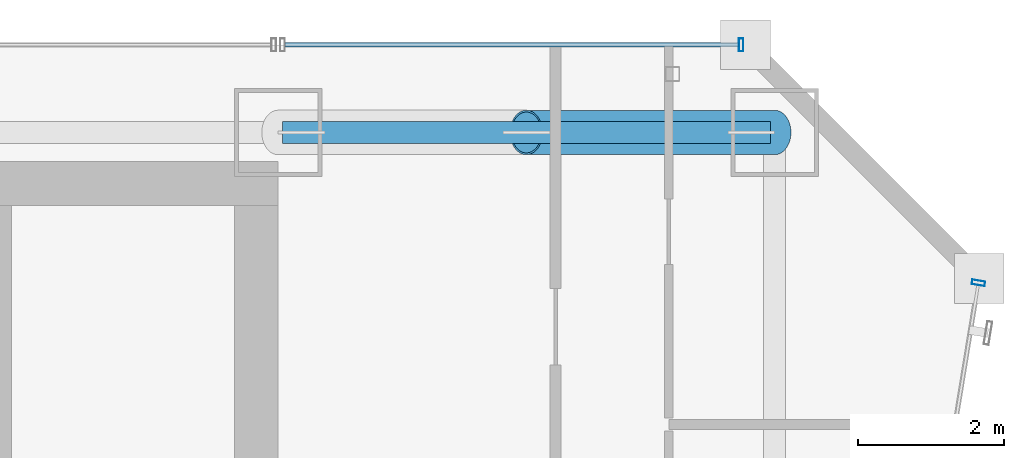
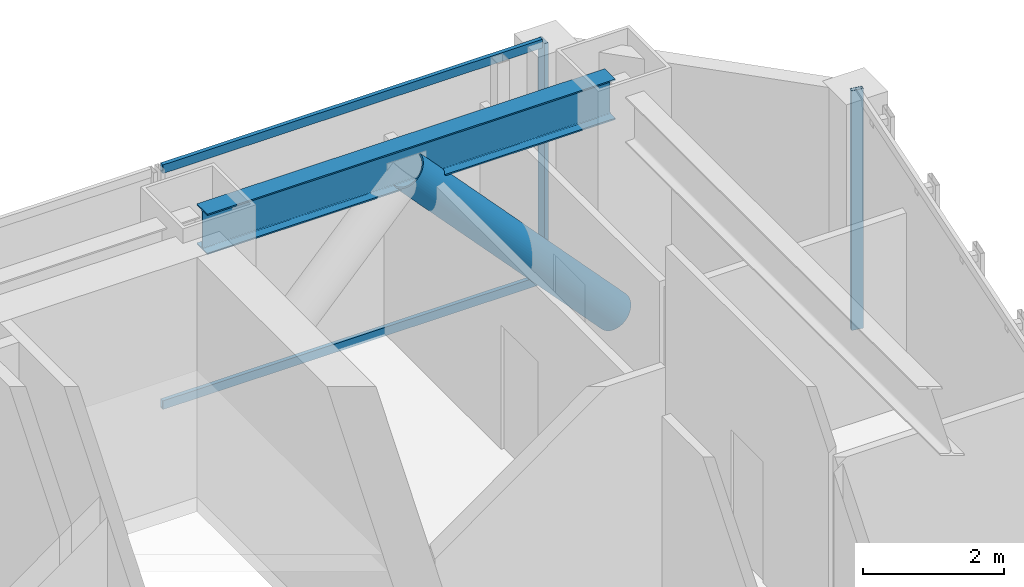
# One storey, part 33 of 47: 5 members, 1 beam, 2 elements without a shape of their own.
"""IFC4 building model written with IfcOpenShell, lengths in metres."""

from ifc_helpers import new_model, si_unit, direction, frame, origin, origin_2d, place, context, subcontext, project, spatial, hollow_rectangle, hollow_circle, i_section, extrude, material, material_profile, profile_set, type_object, element, aggregate, save


model = new_model("IFC4")

# Units and contexts
model_context = context("Model", 3, precision=1e-05, world=origin(), true_north=direction((0.0, 1.0)))
body_context = subcontext(model_context, "Body", "Model", "MODEL_VIEW")
ifc_project = project(units=[si_unit("LENGTHUNIT", "METRE"), si_unit("AREAUNIT", "SQUARE_METRE"), si_unit("VOLUMEUNIT", "CUBIC_METRE"), si_unit("PLANEANGLEUNIT", "RADIAN"), si_unit("MASSUNIT", "GRAM", prefix="KILO")], contexts=[model_context])

# Site, building, storey
site_placement = place(None, origin())
site = spatial("IfcSite", under=ifc_project, at=site_placement, CompositionType="ELEMENT")
building_placement = place(site_placement, origin())
building = spatial("IfcBuilding", under=site, at=building_placement, Name="Saevonmaru Cultural Tower", CompositionType="ELEMENT")
storey_placement = place(building_placement, frame((0.0, 0.0, 56.0)))
storey = spatial("IfcBuildingStorey", under=building, at=storey_placement, Name="L11", CompositionType="ELEMENT", Elevation=56.0)

# Beam
ifc_material_1 = material(Name="Steel SM355", Category="steel")
ifc_material_profile_1 = material_profile(ifc_material_1, i_section(OverallWidth=0.300048828125, OverallDepth=0.699951171875, WebThickness=0.012939453125, FlangeThickness=0.02392578125, FilletRadius=0.02587890625, at=origin_2d()), Name="H-700x300x13x24")
ifc_profile_set_1 = profile_set([ifc_material_profile_1], Name="Steel SM355")
beam_type = type_object("IfcBeamType", Name="BM-SP-H700", PredefinedType="SPANDREL", material=ifc_profile_set_1)
beam_placement = place(storey_placement, frame((46.4599609375, 54.800048828125, 3.800048828125), z_axis=(1.0, 0.0, 0.0), x_axis=(0.0, 1.0, 0.0)))
element("IfcBeam", 1, at=beam_placement, inside=storey, type_object=beam_type, Name="L11 North Spine Girder 5", PredefinedType="SPANDREL", context=body_context, shape_type="SweptSolid", body=[
    extrude(i_section(OverallWidth=0.300048828125, OverallDepth=0.699951171875, WebThickness=0.012939453125, FlangeThickness=0.02392578125, FilletRadius=0.02587890625, at=origin_2d()), origin(), (0.0, 0.0, 1.0), 6.679931640625),
])

# Member
ifc_material_2 = material(Name="Steel HSA600 (600 MPa)", Category="steel")
ifc_material_profile_2 = material_profile(ifc_material_2, hollow_circle(Radius=0.3046875, WallThickness=0.02490234375, at=origin_2d()), Name="CHS-609.6x25")
ifc_profile_set_2 = profile_set([ifc_material_profile_2], Name="Steel HSA600 (600 MPa)")
member_type_1 = type_object("IfcMemberType", Name="MB-PBR-CHS610", PredefinedType="BRACE", material=ifc_profile_set_2)
member_1_placement = place(storey_placement, frame((53.199951171875, 54.800048828125, 0.02001953125), z_axis=(-0.681602937137, 0.0, 0.73172223971), x_axis=(0.0, -1.0, 0.0)))
element("IfcMember", 2, at=member_1_placement, inside=storey, type_object=member_type_1, Name="L11 Perimeter Braced-Tube Diagonal EN2", PredefinedType="BRACE", context=body_context, shape_type="SweptSolid", body=[
    extrude(hollow_circle(Radius=0.3046875, WallThickness=0.02490234375, at=origin_2d()), origin(), (0.0, 0.0, 1.0), 4.988037109375),
])

# Curtain wall, member
ifc_material_3 = material(Name="Satin Bronze Anodised Aluminium", Category="aluminium")
curtain_wall_type = type_object("IfcCurtainWallType", Name="CW-TYP-A", PredefinedType="NOTDEFINED", material=ifc_material_3)
curtain_wall_1_placement = place(storey_placement, origin())
curtain_wall_1 = element("IfcCurtainWall", 3, at=curtain_wall_1_placement, inside=storey, type_object=curtain_wall_type, Name="L11 Unitised Curtain Wall E8", PredefinedType="NOTDEFINED")
ifc_material_profile_3 = material_profile(ifc_material_3, hollow_rectangle(XDim=0.06494140625, YDim=0.179931640625, WallThickness=0.00390625, at=origin_2d()), Name="ALU-MULL-180x65x4")
ifc_profile_set_3 = profile_set([ifc_material_profile_3], Name="Satin Bronze Anodised Aluminium")
member_type_2 = type_object("IfcMemberType", Name="ML-CW-180x65", PredefinedType="MULLION", material=ifc_profile_set_3)
member_2_placement = place(storey_placement, frame((55.990234375, 52.74072265625, 0.0), z_axis=(0.0, 0.0, 1.0), x_axis=(0.161708868641, 0.986838508472, 0.0)))
member_2 = element("IfcMember", 4, at=member_2_placement, type_object=member_type_2, Name="CW-TW-L11-E8 mullion 5", PredefinedType="MULLION", context=body_context, shape_type="SweptSolid", body=[
    extrude(hollow_rectangle(XDim=0.06494140625, YDim=0.179931640625, WallThickness=0.00390625, at=origin_2d()), origin(), (0.0, 0.0, 1.0), 4.14990234375),
])
aggregate(curtain_wall_1, [member_2])

# Curtain wall, members
curtain_wall_2_placement = place(storey_placement, origin())
curtain_wall_2 = element("IfcCurtainWall", 5, at=curtain_wall_2_placement, inside=storey, type_object=curtain_wall_type, Name="L11 East Braced Bay Spandrel Curtain Wall E10A", PredefinedType="NOTDEFINED")
member_3_placement = place(storey_placement, frame((52.739990234375, 56.0, 0.0), z_axis=(0.0, 0.0, 1.0), x_axis=(-1.0, 0.0, 0.0)))
member_3 = element("IfcMember", 6, at=member_3_placement, type_object=member_type_2, Name="CW-TW-L11-E10A mullion 1", PredefinedType="MULLION", context=body_context, shape_type="SweptSolid", body=[
    extrude(hollow_rectangle(XDim=0.06494140625, YDim=0.179931640625, WallThickness=0.00390625, at=origin_2d()), origin(), (0.0, 0.0, 1.0), 4.14990234375),
])
ifc_material_profile_4 = material_profile(ifc_material_3, hollow_rectangle(XDim=0.06494140625, YDim=0.14990234375, WallThickness=0.00390625, at=origin_2d()), Name="ALU-TRAN-150x65x4")
ifc_profile_set_4 = profile_set([ifc_material_profile_4], Name="Satin Bronze Anodised Aluminium")
member_type_3 = type_object("IfcMemberType", Name="TR-CW-150x65", PredefinedType="USERDEFINED", material=ifc_profile_set_4)
member_4_placement = place(storey_placement, frame((52.70751953125, 56.0, 0.032470703125), z_axis=(-1.0, 0.0, 0.0), x_axis=(0.0, -1.0, 0.0)))
member_4 = element("IfcMember", 7, at=member_4_placement, type_object=member_type_3, Name="CW-TW-L11-E10A transom 1.1", ObjectType="TRANSOM", PredefinedType="USERDEFINED", context=body_context, shape_type="SweptSolid", body=[
    extrude(hollow_rectangle(XDim=0.06494140625, YDim=0.14990234375, WallThickness=0.00390625, at=origin_2d()), origin(), (0.0, 0.0, 1.0), 6.215087890625),
])
member_5_placement = place(storey_placement, frame((52.70751953125, 56.0, 4.117431640625), z_axis=(-1.0, 0.0, 0.0), x_axis=(0.0, -1.0, 0.0)))
member_5 = element("IfcMember", 8, at=member_5_placement, type_object=member_type_3, Name="CW-TW-L11-E10A transom 1.2", ObjectType="TRANSOM", PredefinedType="USERDEFINED", context=body_context, shape_type="SweptSolid", body=[
    extrude(hollow_rectangle(XDim=0.06494140625, YDim=0.14990234375, WallThickness=0.00390625, at=origin_2d()), origin(), (0.0, 0.0, 1.0), 6.215087890625),
])
aggregate(curtain_wall_2, [member_3, member_4, member_5])

save(model, "model.ifc")
